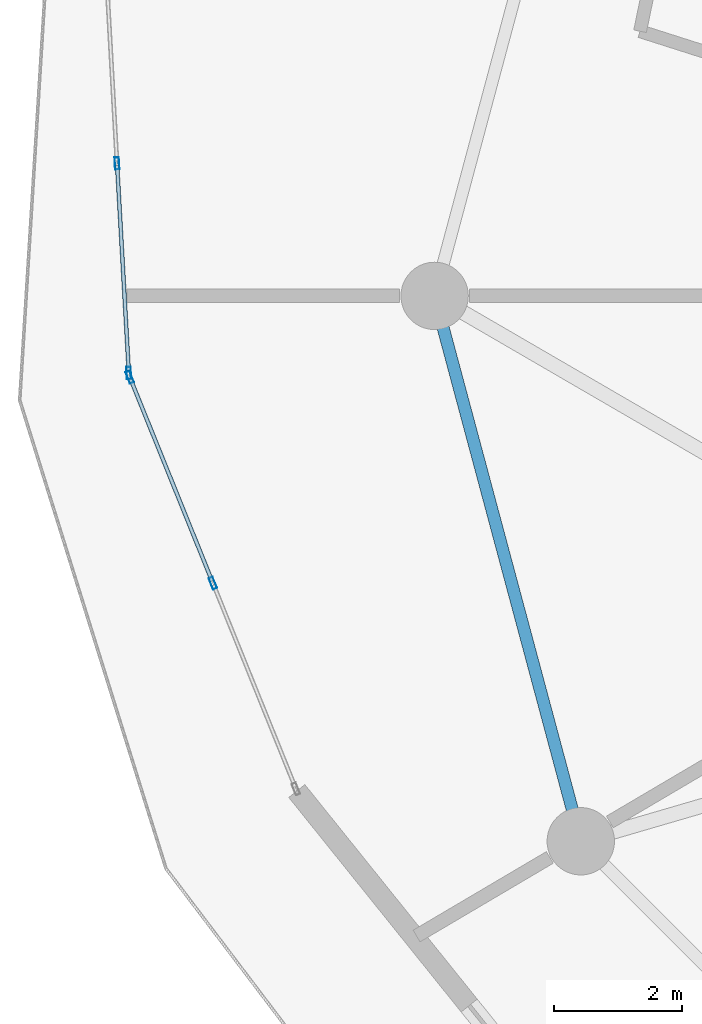
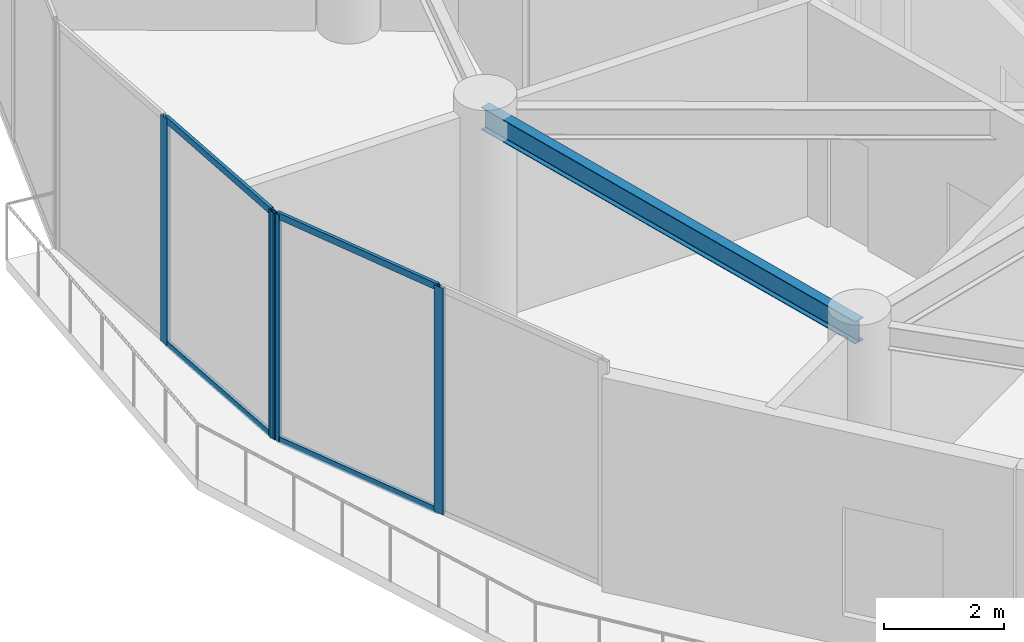
# One storey, part 7 of 28: 8 members, 1 beam, 2 elements without a shape of their own.
"""IFC4 building model written with IfcOpenShell, lengths in metres."""

from ifc_helpers import new_model, si_unit, direction, frame, origin, origin_2d, place, context, subcontext, project, spatial, hollow_rectangle, i_section, extrude, source, transform, mapped, material, layer, layer_set, material_profile, profile_set, type_object, element, aggregate, save


model = new_model("IFC4")

# Units and contexts
model_context = context("Model", 3, precision=1e-05, world=origin(), true_north=direction((0.0, 1.0)))
body_context = subcontext(model_context, "Body", "Model", "MODEL_VIEW")
ifc_project = project(units=[si_unit("LENGTHUNIT", "METRE"), si_unit("AREAUNIT", "SQUARE_METRE"), si_unit("VOLUMEUNIT", "CUBIC_METRE"), si_unit("PLANEANGLEUNIT", "RADIAN"), si_unit("MASSUNIT", "GRAM", prefix="KILO")], contexts=[model_context])

# Site, building, storey
site_placement = place(None, origin())
site = spatial("IfcSite", under=ifc_project, at=site_placement, CompositionType="ELEMENT")
building_placement = place(site_placement, origin())
building = spatial("IfcBuilding", under=site, at=building_placement, Name="Solvirekh Grand Hotel", CompositionType="ELEMENT")
storey_placement = place(building_placement, frame((0.0, 0.0, 98.0)))
storey = spatial("IfcBuildingStorey", under=building, at=storey_placement, Name="L24", CompositionType="ELEMENT", Elevation=98.0)

# Beam
ifc_material_1 = material(Name="Steel S355", Category="steel")
ifc_material_profile_1 = material_profile(ifc_material_1, i_section(OverallWidth=0.18994140625, OverallDepth=0.45703125, WebThickness=0.009033203125, FlangeThickness=0.013916015625, FilletRadius=0.012939453125, at=origin_2d()), Name="W460X74")
ifc_profile_set_1 = profile_set([ifc_material_profile_1], Name="Steel S355")
beam_type = type_object("IfcBeamType", Name="Spandrel_Ring_W460", PredefinedType="SPANDREL", material=ifc_profile_set_1)
beam_placement = place(storey_placement, frame((-17.0, 0.0, 4.12109375), z_axis=(0.258872908946, -0.965911391906, 0.0), x_axis=(0.965911391906, 0.258872908946, 0.0)))
element("IfcBeam", 1, at=beam_placement, inside=storey, type_object=beam_type, Name="L24 perimeter spandrel beam 7", PredefinedType="SPANDREL", context=body_context, shape_type="SweptSolid", body=[
    extrude(i_section(OverallWidth=0.18994140625, OverallDepth=0.45703125, WebThickness=0.009033203125, FlangeThickness=0.013916015625, FilletRadius=0.012939453125, at=origin_2d()), origin(), (0.0, 0.0, 1.0), 8.800048828125),
])

# Curtain wall, members
ifc_material_2 = material(Name="Anodized Bronze Aluminium 6063-T6", Category="aluminium")
ifc_layer = layer(ifc_material_2, 0.18994140625)
ifc_layer_set = layer_set([ifc_layer], Name="Anodized Bronze Aluminium 6063-T6")
curtain_wall_type = type_object("IfcCurtainWallType", Name="CW_Sys5_SkyLobbyPanoramaCW", PredefinedType="NOTDEFINED", material=ifc_layer_set)
curtain_wall_1_placement = place(storey_placement, origin())
curtain_wall_1 = element("IfcCurtainWall", 2, at=curtain_wall_1_placement, inside=storey, type_object=curtain_wall_type, Name="L24 unitised bronze-glass curtain wall CW-L24-C12", PredefinedType="NOTDEFINED")
ifc_material_profile_2 = material_profile(ifc_material_2, hollow_rectangle(XDim=0.070068359375, YDim=0.18994140625, WallThickness=0.0048828125, at=origin_2d()), Name="ALU RHS 190X70X5")
ifc_profile_set_2 = profile_set([ifc_material_profile_2], Name="Anodized Bronze Aluminium 6063-T6")
member_type_1 = type_object("IfcMemberType", Name="CWMullion_Sys5", PredefinedType="MULLION", material=ifc_profile_set_2)
shared_shape_1 = source(origin(), body_context, "Body", "SweptSolid", [
    extrude(hollow_rectangle(XDim=0.070068359375, YDim=0.18994140625, WallThickness=0.0048828125, at=origin_2d()), origin(), (0.0, 0.0, 1.0), 4.60009765625),
])
member_1_placement = place(storey_placement, frame((-21.949951171875, 2.06591796875, 0.0), z_axis=(0.0, 0.0, 1.0), x_axis=(0.998416302601, 0.056257325751, 0.0)))
member_1 = element("IfcMember", 3, at=member_1_placement, type_object=member_type_1, Name="U05 mullion 2", PredefinedType="MULLION", context=body_context, shape_type="MappedRepresentation", body=[
    mapped(shared_shape_1, transform((0.0, 0.0, 0.0), x_axis=(1.0, 0.0, 0.0), y_axis=(0.0, 1.0, 0.0), z_axis=(0.0, 0.0, 1.0), scale=1.0)),
])
member_2_placement = place(storey_placement, frame((-21.765869140625, -1.199951171875, 0.0), z_axis=(0.0, 0.0, 1.0), x_axis=(0.998416302601, 0.056257325751, 0.0)))
member_2 = element("IfcMember", 4, at=member_2_placement, type_object=member_type_1, Name="U05 mullion 3", PredefinedType="MULLION", context=body_context, shape_type="MappedRepresentation", body=[
    mapped(shared_shape_1, transform((0.0, 0.0, 0.0), x_axis=(1.0, 0.0, 0.0), y_axis=(0.0, 1.0, 0.0), z_axis=(0.0, 0.0, 1.0), scale=1.0)),
])

curtain_wall_2_placement = place(storey_placement, origin())
curtain_wall_2 = element("IfcCurtainWall", 5, at=curtain_wall_2_placement, inside=storey, type_object=curtain_wall_type, Name="L24 unitised bronze-glass curtain wall CW-L24-C13", PredefinedType="NOTDEFINED")
member_3_placement = place(storey_placement, frame((-21.7509765625, -1.267578125, 0.0), z_axis=(0.0, 0.0, 1.0), x_axis=(0.927327786327, 0.374250152579, 0.0)))
member_3 = element("IfcMember", 6, at=member_3_placement, type_object=member_type_1, Name="U05 mullion 1", PredefinedType="MULLION", context=body_context, shape_type="MappedRepresentation", body=[
    mapped(shared_shape_1, transform((0.0, 0.0, 0.0), x_axis=(1.0, 0.0, 0.0), y_axis=(0.0, 1.0, 0.0), z_axis=(0.0, 0.0, 1.0), scale=1.0)),
])
member_4_placement = place(storey_placement, frame((-20.4560546875, -4.47607421875, 0.0), z_axis=(0.0, 0.0, 1.0), x_axis=(0.927327786327, 0.374250152579, 0.0)))
member_4 = element("IfcMember", 7, at=member_4_placement, type_object=member_type_1, Name="U05 mullion 2", PredefinedType="MULLION", context=body_context, shape_type="MappedRepresentation", body=[
    mapped(shared_shape_1, transform((0.0, 0.0, 0.0), x_axis=(1.0, 0.0, 0.0), y_axis=(0.0, 1.0, 0.0), z_axis=(0.0, 0.0, 1.0), scale=1.0)),
])

# Member
ifc_material_profile_3 = material_profile(ifc_material_2, hollow_rectangle(XDim=0.06005859375, YDim=0.135009765625, WallThickness=0.00390625, at=origin_2d()), Name="ALU RHS 135X60X4")
ifc_profile_set_3 = profile_set([ifc_material_profile_3], Name="Anodized Bronze Aluminium 6063-T6")
member_type_2 = type_object("IfcMemberType", Name="CWTransom_Sys5", PredefinedType="USERDEFINED", material=ifc_profile_set_3)
shared_shape_2 = source(origin(), body_context, "Body", "SweptSolid", [
    extrude(hollow_rectangle(XDim=0.06005859375, YDim=0.135009765625, WallThickness=0.00390625, at=origin_2d()), origin(), (0.0, 0.0, 1.0), 3.201171875),
])
member_5_placement = place(storey_placement, frame((-21.947998046875, 2.031005859375, 0.030029296875), z_axis=(0.056285239498, -0.998414729366, 0.0), x_axis=(0.998414729366, 0.056285239498, 0.0)))
member_5 = element("IfcMember", 8, at=member_5_placement, type_object=member_type_2, Name="U05 transom 2.1", ObjectType="TRANSOM", PredefinedType="USERDEFINED", context=body_context, shape_type="MappedRepresentation", body=[
    mapped(shared_shape_2, transform((0.0, 0.0, 0.0), x_axis=(1.0, 0.0, 0.0), y_axis=(0.0, 1.0, 0.0), z_axis=(0.0, 0.0, 1.0), scale=1.0)),
])

member_6_placement = place(storey_placement, frame((-21.947998046875, 2.031005859375, 4.570068359375), z_axis=(0.056285239498, -0.998414729366, 0.0), x_axis=(0.998414729366, 0.056285239498, 0.0)))
member_6 = element("IfcMember", 9, at=member_6_placement, type_object=member_type_2, Name="U05 transom 2.2", ObjectType="TRANSOM", PredefinedType="USERDEFINED", context=body_context, shape_type="MappedRepresentation", body=[
    mapped(shared_shape_2, transform((0.0, 0.0, 0.0), x_axis=(1.0, 0.0, 0.0), y_axis=(0.0, 1.0, 0.0), z_axis=(0.0, 0.0, 1.0), scale=1.0)),
])

aggregate(curtain_wall_1, [member_1, member_2, member_5, member_6])

shared_shape_3 = source(origin(), body_context, "Body", "SweptSolid", [
    extrude(hollow_rectangle(XDim=0.06005859375, YDim=0.135009765625, WallThickness=0.00390625, at=origin_2d()), origin(), (0.0, 0.0, 1.0), 3.39013671875),
])
member_7_placement = place(storey_placement, frame((-21.73779296875, -1.2998046875, 0.030029296875), z_axis=(0.374257050393, -0.927325002484, 0.0), x_axis=(0.927325002484, 0.374257050393, 0.0)))
member_7 = element("IfcMember", 10, at=member_7_placement, type_object=member_type_2, Name="U05 transom 1.1", ObjectType="TRANSOM", PredefinedType="USERDEFINED", context=body_context, shape_type="MappedRepresentation", body=[
    mapped(shared_shape_3, transform((0.0, 0.0, 0.0), x_axis=(1.0, 0.0, 0.0), y_axis=(0.0, 1.0, 0.0), z_axis=(0.0, 0.0, 1.0), scale=1.0)),
])

member_8_placement = place(storey_placement, frame((-21.73779296875, -1.2998046875, 4.570068359375), z_axis=(0.374257050393, -0.927325002484, 0.0), x_axis=(0.927325002484, 0.374257050393, 0.0)))
member_8 = element("IfcMember", 11, at=member_8_placement, type_object=member_type_2, Name="U05 transom 1.2", ObjectType="TRANSOM", PredefinedType="USERDEFINED", context=body_context, shape_type="MappedRepresentation", body=[
    mapped(shared_shape_3, transform((0.0, 0.0, 0.0), x_axis=(1.0, 0.0, 0.0), y_axis=(0.0, 1.0, 0.0), z_axis=(0.0, 0.0, 1.0), scale=1.0)),
])

aggregate(curtain_wall_2, [member_3, member_4, member_7, member_8])

save(model, "model.ifc")
